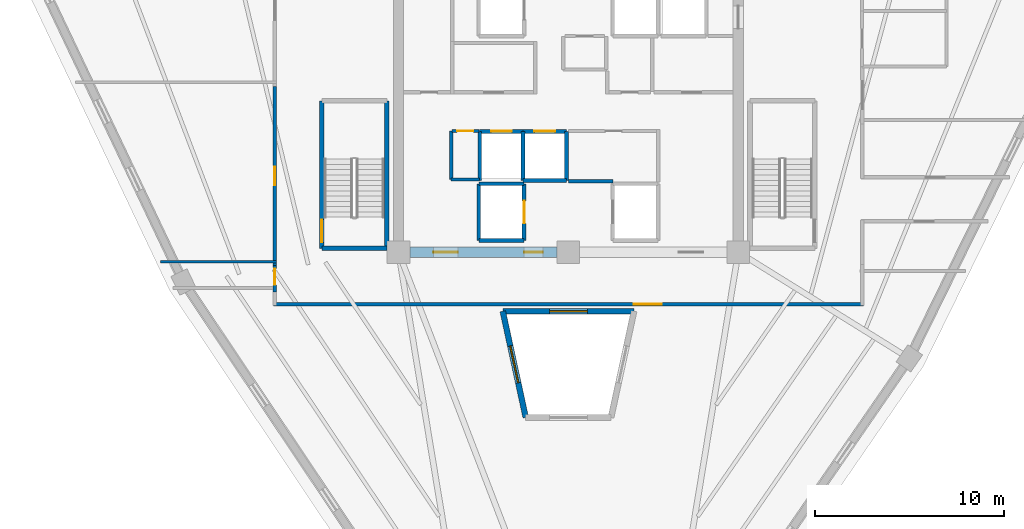
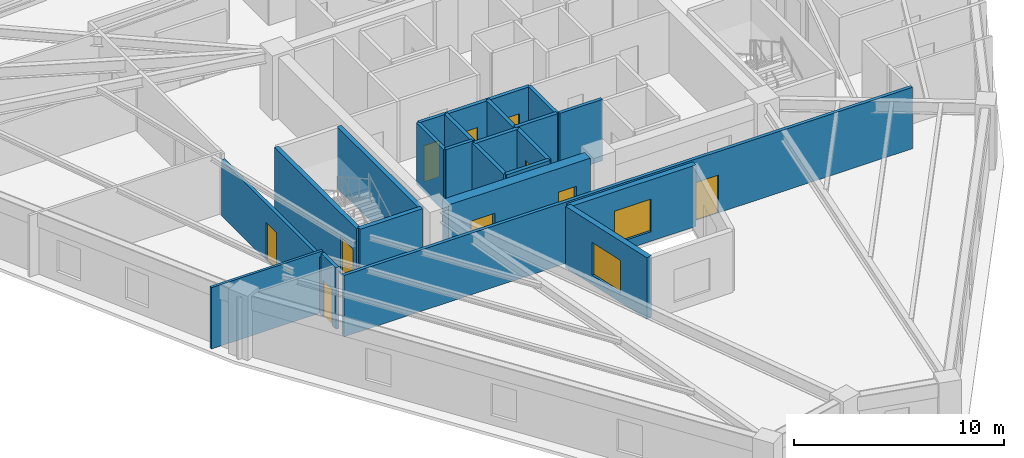
# One storey, part 3 of 8: 24 walls, 10 doors, 2 windows, 12 openings.
"""IFC4 building model written with IfcOpenShell, lengths in metres."""

from ifc_helpers import new_model, si_unit, direction, frame, frame_2d, origin, place, context, subcontext, project, spatial, rectangle, extrude, source, transform, mapped, material, layer, layer_set, type_object, element, fill, save


model = new_model("IFC4")

# Units and contexts
model_context = context("Model", 3, precision=1e-05, world=origin(), true_north=direction((0.0, 1.0)))
body_context = subcontext(model_context, "Body", "Model", "MODEL_VIEW")
ifc_project = project(units=[si_unit("LENGTHUNIT", "METRE"), si_unit("AREAUNIT", "SQUARE_METRE"), si_unit("VOLUMEUNIT", "CUBIC_METRE"), si_unit("PLANEANGLEUNIT", "RADIAN"), si_unit("MASSUNIT", "GRAM", prefix="KILO")], contexts=[model_context])

# Site, building, storey
site_placement = place(None, origin())
site = spatial("IfcSite", under=ifc_project, at=site_placement, CompositionType="ELEMENT")
building_placement = place(site_placement, origin())
building = spatial("IfcBuilding", under=site, at=building_placement, Name="Liaohun Quay Tower", CompositionType="ELEMENT")
storey_placement = place(building_placement, frame((0.0, 0.0, 301.5)))
storey = spatial("IfcBuildingStorey", under=building, at=storey_placement, Name="L78", CompositionType="ELEMENT", Elevation=301.5)

# Wall, opening, window
ifc_material_1 = material(Name="Concrete C50", Category="concrete")
ifc_layer_1 = layer(ifc_material_1, 0.300048828125, Name="Concrete C50", Category="concrete")
ifc_layer_set_1 = layer_set([ifc_layer_1], Name="Concrete C50")
wall_type_1 = type_object("IfcWallType", Name="WAL-ATR-300", PredefinedType="SOLIDWALL", material=ifc_layer_set_1)
wall_1_placement = place(storey_placement, frame((57.739013671875, 37.739990234375, 0.0), z_axis=(0.0, 0.0, 1.0), x_axis=(-0.211447694839, 0.977389314627, 0.0)))
wall_1 = element("IfcWall", 1, at=wall_1_placement, inside=storey, type_object=wall_type_1, Name="L78 Atrium Fire Compartment Wall 1", PredefinedType="SOLIDWALL", context=body_context, shape_type="SweptSolid", body=[
    extrude(rectangle(XDim=5.76025390625, YDim=0.300048828125, at=frame_2d((2.880126953125, 0.0))), origin(), (0.0, 0.0, 1.0), 3.570068359375),
])
shared_shape_1 = source(origin(), body_context, "Body", "SweptSolid", [
    extrude(rectangle(XDim=2.0, YDim=1.89990234375, at=frame_2d((1.0, 0.949951171875))), frame((0.0, 0.159912109375, 0.0), z_axis=(0.0, -1.0, 0.0), x_axis=(1.0, 0.0, 0.0)), (0.0, 0.0, 1.0), 0.320068359375),
])
opening_1_placement = place(wall_1_placement, frame((1.8798828125, 0.0, 0.550048828125)))
opening_1 = element("IfcOpeningElement", 2, at=opening_1_placement, cuts=wall_1, Name="Opening W07", PredefinedType="OPENING", context=body_context, shape_type="MappedRepresentation", body=[
    mapped(shared_shape_1, transform((0.0, 0.0, 0.0), x_axis=(1.0, 0.0, 0.0), y_axis=(0.0, 1.0, 0.0), z_axis=(0.0, 0.0, 1.0), scale=1.0)),
])
ifc_material_2 = material(Name="Class A 180-min fire-resistant insulated glazing", Category="glass")
window_type = type_object("IfcWindowType", Name="WIN-ATR-FIR", PartitioningType="DOUBLE_PANEL_VERTICAL", PredefinedType="WINDOW", material=ifc_material_2)
shared_shape_2 = source(origin(), body_context, "Body", "SweptSolid", [
    extrude(rectangle(XDim=2.0, YDim=1.89990234375, at=frame_2d((1.0, 0.949951171875))), frame((0.0, 0.030029296875, 0.0), z_axis=(0.0, -1.0, 0.0), x_axis=(1.0, 0.0, 0.0)), (0.0, 0.0, 1.0), 0.06005859375),
])
window_1_placement = place(opening_1_placement, origin())
window_1 = element("IfcWindow", 3, at=window_1_placement, inside=storey, type_object=window_type, Name="L78 Atrium Fire-Resistant Glazing W07-1", OverallHeight=1.89990234375, OverallWidth=2.0, PartitioningType="DOUBLE_PANEL_VERTICAL", PredefinedType="WINDOW", context=body_context, shape_type="MappedRepresentation", body=[
    mapped(shared_shape_2, transform((0.0, 0.0, 0.0), x_axis=(1.0, 0.0, 0.0), y_axis=(0.0, 1.0, 0.0), z_axis=(0.0, 0.0, 1.0), scale=1.0)),
])
fill(opening_1, window_1)

wall_2_placement = place(storey_placement, frame((56.52099609375, 43.3701171875, 0.0), z_axis=(0.0, 0.0, 1.0), x_axis=(1.0, 0.0, 0.0)))
wall_2 = element("IfcWall", 4, at=wall_2_placement, inside=storey, type_object=wall_type_1, Name="L78 Atrium Fire Compartment Wall 2", PredefinedType="SOLIDWALL", context=body_context, shape_type="SweptSolid", body=[
    extrude(rectangle(XDim=6.9580078125, YDim=0.300048828125, at=frame_2d((3.47900390625, 0.0))), origin(), (0.0, 0.0, 1.0), 3.570068359375),
])
opening_2_placement = place(wall_2_placement, frame((2.47900390625, 0.0, 0.550048828125)))
opening_2 = element("IfcOpeningElement", 5, at=opening_2_placement, cuts=wall_2, Name="Opening W07", PredefinedType="OPENING", context=body_context, shape_type="MappedRepresentation", body=[
    mapped(shared_shape_1, transform((0.0, 0.0, 0.0), x_axis=(1.0, 0.0, 0.0), y_axis=(0.0, 1.0, 0.0), z_axis=(0.0, 0.0, 1.0), scale=1.0)),
])
window_2_placement = place(opening_2_placement, origin())
window_2 = element("IfcWindow", 6, at=window_2_placement, inside=storey, type_object=window_type, Name="L78 Atrium Fire-Resistant Glazing W07-2", OverallHeight=1.89990234375, OverallWidth=2.0, PartitioningType="DOUBLE_PANEL_VERTICAL", PredefinedType="WINDOW", context=body_context, shape_type="MappedRepresentation", body=[
    mapped(shared_shape_2, transform((0.0, 0.0, 0.0), x_axis=(1.0, 0.0, 0.0), y_axis=(0.0, 1.0, 0.0), z_axis=(0.0, 0.0, 1.0), scale=1.0)),
])
fill(opening_2, window_2)

# Wall, openings, doors
ifc_layer_2 = layer(ifc_material_1, 0.550048828125, Name="Concrete C50", Category="concrete")
ifc_layer_set_2 = layer_set([ifc_layer_2], Name="Concrete C50")
wall_type_2 = type_object("IfcWallType", Name="WAL-COR-Z4", PredefinedType="SHEAR", material=ifc_layer_set_2)
wall_3_placement = place(storey_placement, frame((59.39990234375, 46.5, 0.0), z_axis=(0.0, 0.0, 1.0), x_axis=(-1.0, 0.0, 0.0)))
wall_3 = element("IfcWall", 7, at=wall_3_placement, inside=storey, type_object=wall_type_2, Name="L78 Central Core Shear Wall S-W", PredefinedType="SHEAR", context=body_context, shape_type="SweptSolid", body=[
    extrude(rectangle(XDim=7.7998046875, YDim=0.550048828125, at=frame_2d((3.89990234375, 0.0))), origin(), (0.0, 0.0, 1.0), 3.570068359375),
])
shared_shape_3 = source(origin(), body_context, "Body", "SweptSolid", [
    extrude(rectangle(XDim=1.300048828125, YDim=2.199951171875, at=frame_2d((0.64990234375, 1.10009765625))), frame((0.0, 0.284912109375, 0.0), z_axis=(0.0, -1.0, 0.0), x_axis=(1.0, 0.0, 0.0)), (0.0, 0.0, 1.0), 0.570068359375),
])
opening_3_placement = place(wall_3_placement, frame((5.25, 0.0, 0.0)))
opening_3 = element("IfcOpeningElement", 8, at=opening_3_placement, cuts=wall_3, Name="Opening FD1", PredefinedType="OPENING", context=body_context, shape_type="MappedRepresentation", body=[
    mapped(shared_shape_3, transform((0.0, 0.0, 0.0), x_axis=(1.0, 0.0, 0.0), y_axis=(0.0, 1.0, 0.0), z_axis=(0.0, 0.0, 1.0), scale=1.0)),
])
shared_shape_4 = source(origin(), body_context, "Body", "SweptSolid", [
    extrude(rectangle(XDim=1.0, YDim=2.199951171875, at=frame_2d((0.5, 1.10009765625))), frame((0.0, 0.284912109375, 0.0), z_axis=(0.0, -1.0, 0.0), x_axis=(1.0, 0.0, 0.0)), (0.0, 0.0, 1.0), 0.570068359375),
])
opening_4_placement = place(wall_3_placement, frame((0.75, 0.0, 0.0)))
opening_4 = element("IfcOpeningElement", 9, at=opening_4_placement, cuts=wall_3, Name="Opening FD2", PredefinedType="OPENING", context=body_context, shape_type="MappedRepresentation", body=[
    mapped(shared_shape_4, transform((0.0, 0.0, 0.0), x_axis=(1.0, 0.0, 0.0), y_axis=(0.0, 1.0, 0.0), z_axis=(0.0, 0.0, 1.0), scale=1.0)),
])
ifc_material_3 = material(Name="Galvanised steel smokeproof fire door", Category="steel")
door_type_1 = type_object("IfcDoorType", Name="DOR-FFL-1300", OperationType="NOTDEFINED", PredefinedType="DOOR", material=ifc_material_3)
shared_shape_5 = source(origin(), body_context, "Body", "SweptSolid", [
    extrude(rectangle(XDim=1.300048828125, YDim=2.199951171875, at=frame_2d((0.64990234375, 1.10009765625))), frame((0.0, 0.02490234375, 0.0), z_axis=(0.0, -1.0, 0.0), x_axis=(1.0, 0.0, 0.0)), (0.0, 0.0, 1.0), 0.050048828125),
])
door_1_placement = place(opening_3_placement, origin())
door_1 = element("IfcDoor", 10, at=door_1_placement, inside=storey, type_object=door_type_1, Name="L78 West Core Lift Lobby Smokeproof Door", OperationType="SINGLE_SWING_RIGHT", OverallHeight=2.199951171875, OverallWidth=1.300048828125, PredefinedType="DOOR", context=body_context, shape_type="MappedRepresentation", body=[
    mapped(shared_shape_5, transform((0.0, 0.0, 0.0), x_axis=(1.0, 0.0, 0.0), y_axis=(0.0, 1.0, 0.0), z_axis=(0.0, 0.0, 1.0), scale=1.0)),
])
fill(opening_3, door_1)
ifc_material_4 = material(Name="Galvanised steel smokeproof lobby fire door", Category="steel")
door_type_2 = type_object("IfcDoorType", Name="DOR-FFL-1000", OperationType="NOTDEFINED", PredefinedType="DOOR", material=ifc_material_4)
shared_shape_6 = source(origin(), body_context, "Body", "SweptSolid", [
    extrude(rectangle(XDim=1.0, YDim=2.199951171875, at=frame_2d((0.5, 1.10009765625))), frame((0.0, 0.02490234375, 0.0), z_axis=(0.0, -1.0, 0.0), x_axis=(1.0, 0.0, 0.0)), (0.0, 0.0, 1.0), 0.050048828125),
])
door_2_placement = place(opening_4_placement, origin())
door_2 = element("IfcDoor", 11, at=door_2_placement, inside=storey, type_object=door_type_2, Name="L78 South Firefighting Lobby Smokeproof Door", OperationType="SINGLE_SWING_LEFT", OverallHeight=2.199951171875, OverallWidth=1.0, PredefinedType="DOOR", context=body_context, shape_type="MappedRepresentation", body=[
    mapped(shared_shape_6, transform((0.0, 0.0, 0.0), x_axis=(1.0, 0.0, 0.0), y_axis=(0.0, 1.0, 0.0), z_axis=(0.0, 0.0, 1.0), scale=1.0)),
])
fill(opening_4, door_2)

# Wall, opening, door
ifc_material_5 = material(Name="Autoclaved aerated concrete blockwork", Category="masonry")
ifc_layer_3 = layer(ifc_material_5, 0.179931640625, Name="Autoclaved aerated concrete blockwork", Category="masonry")
ifc_layer_set_3 = layer_set([ifc_layer_3], Name="Autoclaved aerated concrete blockwork")
wall_type_3 = type_object("IfcWallType", Name="WAL-PRT-COR", PredefinedType="PARTITIONING", material=ifc_layer_set_3)
wall_4_placement = place(storey_placement, frame((53.820068359375, 52.919921875, 0.0), z_axis=(0.0, 0.0, 1.0), x_axis=(1.0, 0.0, 0.0)))
wall_4 = element("IfcWall", 12, at=wall_4_placement, inside=storey, type_object=wall_type_3, Name="L78 Interior Partition Wall 007", PredefinedType="PARTITIONING", context=body_context, shape_type="SweptSolid", body=[
    extrude(rectangle(XDim=1.429931640625, YDim=0.179931640625, at=frame_2d((0.71484375, 0.0))), origin(), (0.0, 0.0, 1.0), 3.570068359375),
])
shared_shape_7 = source(origin(), body_context, "Body", "SweptSolid", [
    extrude(rectangle(XDim=0.85009765625, YDim=2.10009765625, at=frame_2d((0.425048828125, 1.050048828125))), frame((0.0, 0.099853515625, 0.0), z_axis=(0.0, -1.0, 0.0), x_axis=(1.0, 0.0, 0.0)), (0.0, 0.0, 1.0), 0.199951171875),
])
opening_5_placement = place(wall_4_placement, frame((0.2900390625, 0.0, 0.0)))
opening_5 = element("IfcOpeningElement", 13, at=opening_5_placement, cuts=wall_4, Name="Opening AD1", PredefinedType="OPENING", context=body_context, shape_type="MappedRepresentation", body=[
    mapped(shared_shape_7, transform((0.0, 0.0, 0.0), x_axis=(1.0, 0.0, 0.0), y_axis=(0.0, 1.0, 0.0), z_axis=(0.0, 0.0, 1.0), scale=1.0)),
])
ifc_material_6 = material(Name="Steel riser inspection fire door", Category="steel")
door_type_3 = type_object("IfcDoorType", Name="DOR-SHF-850", OperationType="NOTDEFINED", PredefinedType="DOOR", material=ifc_material_6)
shared_shape_8 = source(origin(), body_context, "Body", "SweptSolid", [
    extrude(rectangle(XDim=0.85009765625, YDim=2.10009765625, at=frame_2d((0.425048828125, 1.050048828125))), frame((0.0, 0.02490234375, 0.0), z_axis=(0.0, -1.0, 0.0), x_axis=(1.0, 0.0, 0.0)), (0.0, 0.0, 1.0), 0.050048828125),
])
door_3_placement = place(opening_5_placement, origin())
door_3 = element("IfcDoor", 14, at=door_3_placement, inside=storey, type_object=door_type_3, Name="L78 Mechanical Smoke Duct Room Door", OperationType="SINGLE_SWING_LEFT", OverallHeight=2.10009765625, OverallWidth=0.85009765625, PredefinedType="DOOR", context=body_context, shape_type="MappedRepresentation", body=[
    mapped(shared_shape_8, transform((0.0, 0.0, 0.0), x_axis=(1.0, 0.0, 0.0), y_axis=(0.0, 1.0, 0.0), z_axis=(0.0, 0.0, 1.0), scale=1.0)),
])
fill(opening_5, door_3)

wall_5_placement = place(storey_placement, frame((44.43994140625, 45.784912109375, 0.0), z_axis=(0.0, 0.0, 1.0), x_axis=(0.0, 1.0, 0.0)))
wall_5 = element("IfcWall", 15, at=wall_5_placement, inside=storey, type_object=wall_type_3, Name="L78 Interior Partition Wall 022", PredefinedType="PARTITIONING", context=body_context, shape_type="SweptSolid", body=[
    extrude(rectangle(XDim=9.5, YDim=0.179931640625, at=frame_2d((4.75, 0.0))), origin(), (0.0, 0.0, 1.0), 3.260986328125),
])
shared_shape_9 = source(origin(), body_context, "Body", "SweptSolid", [
    extrude(rectangle(XDim=1.0, YDim=2.199951171875, at=frame_2d((0.5, 1.10009765625))), frame((0.0, 0.099853515625, 0.0), z_axis=(0.0, -1.0, 0.0), x_axis=(1.0, 0.0, 0.0)), (0.0, 0.0, 1.0), 0.199951171875),
])
opening_6_placement = place(wall_5_placement, frame((4.25, 0.0, 0.0)))
opening_6 = element("IfcOpeningElement", 16, at=opening_6_placement, cuts=wall_5, Name="Opening OD1", PredefinedType="OPENING", context=body_context, shape_type="MappedRepresentation", body=[
    mapped(shared_shape_9, transform((0.0, 0.0, 0.0), x_axis=(1.0, 0.0, 0.0), y_axis=(0.0, 1.0, 0.0), z_axis=(0.0, 0.0, 1.0), scale=1.0)),
])
ifc_material_7 = material(Name="Solid-core oak veneer timber leaf in steel frame", Category="steel")
door_type_4 = type_object("IfcDoorType", Name="DOR-OFF-1000", OperationType="NOTDEFINED", PredefinedType="DOOR", material=ifc_material_7)
door_4_placement = place(opening_6_placement, origin())
door_4 = element("IfcDoor", 17, at=door_4_placement, inside=storey, type_object=door_type_4, Name="L78 Client Collaboration Lounge 08 Door", OperationType="SINGLE_SWING_RIGHT", OverallHeight=2.199951171875, OverallWidth=1.0, PredefinedType="DOOR", context=body_context, shape_type="MappedRepresentation", body=[
    mapped(shared_shape_6, transform((0.0, 0.0, 0.0), x_axis=(1.0, 0.0, 0.0), y_axis=(0.0, 1.0, 0.0), z_axis=(0.0, 0.0, 1.0), scale=1.0)),
])
fill(opening_6, door_4)

wall_6_placement = place(storey_placement, frame((44.43994140625, 44.385009765625, 0.0), z_axis=(0.0, 0.0, 1.0), x_axis=(0.0, 1.0, 0.0)))
wall_6 = element("IfcWall", 18, at=wall_6_placement, inside=storey, type_object=wall_type_3, Name="L78 Interior Partition Wall 023", PredefinedType="PARTITIONING", context=body_context, shape_type="SweptSolid", body=[
    extrude(rectangle(XDim=1.39990234375, YDim=0.179931640625, at=frame_2d((0.699951171875, 0.0))), origin(), (0.0, 0.0, 1.0), 3.570068359375),
])
opening_7_placement = place(wall_6_placement, frame((0.386962890625, 0.0, 0.0)))
opening_7 = element("IfcOpeningElement", 19, at=opening_7_placement, cuts=wall_6, Name="Opening AD1", PredefinedType="OPENING", context=body_context, shape_type="MappedRepresentation", body=[
    mapped(shared_shape_7, transform((0.0, 0.0, 0.0), x_axis=(1.0, 0.0, 0.0), y_axis=(0.0, 1.0, 0.0), z_axis=(0.0, 0.0, 1.0), scale=1.0)),
])
door_5_placement = place(opening_7_placement, origin())
door_5 = element("IfcDoor", 20, at=door_5_placement, inside=storey, type_object=door_type_3, Name="L78 Records Archive Store 09 Door", OperationType="SINGLE_SWING_LEFT", OverallHeight=2.10009765625, OverallWidth=0.85009765625, PredefinedType="DOOR", context=body_context, shape_type="MappedRepresentation", body=[
    mapped(shared_shape_8, transform((0.0, 0.0, 0.0), x_axis=(1.0, 0.0, 0.0), y_axis=(0.0, 1.0, 0.0), z_axis=(0.0, 0.0, 1.0), scale=1.0)),
])
fill(opening_7, door_5)

wall_7_placement = place(storey_placement, frame((75.6298828125, 43.739990234375, 0.0), z_axis=(0.0, 0.0, 1.0), x_axis=(-1.0, 0.0, 0.0)))
wall_7 = element("IfcWall", 21, at=wall_7_placement, inside=storey, type_object=wall_type_3, Name="L78 Interior Partition Wall 024", PredefinedType="PARTITIONING", context=body_context, shape_type="SweptSolid", body=[
    extrude(rectangle(XDim=31.259765625, YDim=0.179931640625, at=frame_2d((15.6298828125, 0.0))), origin(), (0.0, 0.0, 1.0), 3.570068359375),
])
shared_shape_10 = source(origin(), body_context, "Body", "SweptSolid", [
    extrude(rectangle(XDim=1.5, YDim=2.199951171875, at=frame_2d((0.75, 1.10009765625))), frame((0.0, 0.099853515625, 0.0), z_axis=(0.0, -1.0, 0.0), x_axis=(1.0, 0.0, 0.0)), (0.0, 0.0, 1.0), 0.199951171875),
])
opening_8_placement = place(wall_7_placement, frame((10.679931640625, 0.0, 0.0)))
opening_8 = element("IfcOpeningElement", 22, at=opening_8_placement, cuts=wall_7, Name="Opening OD2", PredefinedType="OPENING", context=body_context, shape_type="MappedRepresentation", body=[
    mapped(shared_shape_10, transform((0.0, 0.0, 0.0), x_axis=(1.0, 0.0, 0.0), y_axis=(0.0, 1.0, 0.0), z_axis=(0.0, 0.0, 1.0), scale=1.0)),
])
ifc_material_8 = material(Name="Acoustic oak veneer double door")
door_type_5 = type_object("IfcDoorType", Name="DOR-OFF-1500", OperationType="DOUBLE_DOOR_SINGLE_SWING", PredefinedType="DOOR", material=ifc_material_8)
shared_shape_11 = source(origin(), body_context, "Body", "SweptSolid", [
    extrude(rectangle(XDim=1.5, YDim=2.199951171875, at=frame_2d((0.75, 1.10009765625))), frame((0.0, 0.02490234375, 0.0), z_axis=(0.0, -1.0, 0.0), x_axis=(1.0, 0.0, 0.0)), (0.0, 0.0, 1.0), 0.050048828125),
])
door_6_placement = place(opening_8_placement, origin())
door_6 = element("IfcDoor", 23, at=door_6_placement, inside=storey, type_object=door_type_5, Name="L78 Open-Plan Office Workplace 10 Door", OperationType="DOUBLE_DOOR_SINGLE_SWING", OverallHeight=2.199951171875, OverallWidth=1.5, PredefinedType="DOOR", context=body_context, shape_type="MappedRepresentation", body=[
    mapped(shared_shape_11, transform((0.0, 0.0, 0.0), x_axis=(1.0, 0.0, 0.0), y_axis=(0.0, 1.0, 0.0), z_axis=(0.0, 0.0, 1.0), scale=1.0)),
])
fill(opening_8, door_6)

# Walls
wall_8_placement = place(storey_placement, frame((53.7900390625, 50.35009765625, 0.0), z_axis=(0.0, 0.0, 1.0), x_axis=(0.0, 1.0, 0.0)))
element("IfcWall", 24, at=wall_8_placement, inside=storey, type_object=wall_type_3, Name="L78 Interior Partition Wall 031", PredefinedType="PARTITIONING", context=body_context, shape_type="SweptSolid", body=[
    extrude(rectangle(XDim=2.56982421875, YDim=0.179931640625, at=frame_2d((1.284912109375, 0.0))), origin(), (0.0, 0.0, 1.0), 3.570068359375),
])
wall_9_placement = place(storey_placement, frame((53.7900390625, 50.35009765625, 0.0), z_axis=(0.0, 0.0, 1.0), x_axis=(1.0, 0.0, 0.0)))
element("IfcWall", 25, at=wall_9_placement, inside=storey, type_object=wall_type_3, Name="L78 Interior Partition Wall 032", PredefinedType="PARTITIONING", context=body_context, shape_type="SweptSolid", body=[
    extrude(rectangle(XDim=1.489990234375, YDim=0.179931640625, at=frame_2d((0.7451171875, 0.0))), origin(), (0.0, 0.0, 1.0), 3.570068359375),
])
wall_10_placement = place(storey_placement, frame((60.0, 50.25, 0.0), z_axis=(0.0, 0.0, 1.0), x_axis=(1.0, 0.0, 0.0)))
element("IfcWall", 26, at=wall_10_placement, inside=storey, type_object=wall_type_3, Name="L78 Interior Partition Wall 060", PredefinedType="PARTITIONING", context=body_context, shape_type="SweptSolid", body=[
    extrude(rectangle(XDim=2.35009765625, YDim=0.179931640625, at=frame_2d((1.175048828125, 0.0))), origin(), (0.0, 0.0, 1.0), 3.570068359375),
])
ifc_material_9 = material(Name="Gypsum board on twin steel studs", Category="steel")
ifc_layer_4 = layer(ifc_material_9, 0.139892578125, Name="Gypsum board on twin steel studs", Category="steel")
ifc_layer_set_4 = layer_set([ifc_layer_4], Name="Gypsum board on twin steel studs")
wall_type_4 = type_object("IfcWallType", Name="WAL-PRT-OFF", PredefinedType="PARTITIONING", material=ifc_layer_set_4)
wall_11_placement = place(storey_placement, frame((44.5400390625, 46.0, 0.0), z_axis=(0.0, 0.0, 1.0), x_axis=(-1.0, 0.0, 0.0)))
element("IfcWall", 27, at=wall_11_placement, inside=storey, type_object=wall_type_4, Name="L78 Interior Partition Wall 050", PredefinedType="PARTITIONING", context=body_context, shape_type="SweptSolid", body=[
    extrude(rectangle(XDim=6.14794921875, YDim=0.139892578125, at=frame_2d((3.073974609375, 0.0))), origin(), (0.0, 0.0, 1.0), 3.570068359375),
])
ifc_layer_5 = layer(ifc_material_1, 0.239990234375, Name="Concrete C50", Category="concrete")
ifc_layer_set_5 = layer_set([ifc_layer_5], Name="Concrete C50")
wall_type_5 = type_object("IfcWallType", Name="WAL-SHF-200", PredefinedType="SOLIDWALL", material=ifc_layer_set_5)
wall_12_placement = place(storey_placement, frame((46.93994140625, 46.699951171875, 0.0), z_axis=(0.0, 0.0, 1.0), x_axis=(1.0, 0.0, 0.0)))
element("IfcWall", 28, at=wall_12_placement, inside=storey, type_object=wall_type_5, Name="L78 Stairwell ST-1 Structural Core Wall S", PredefinedType="SOLIDWALL", context=body_context, shape_type="SweptSolid", body=[
    extrude(rectangle(XDim=3.43994140625, YDim=0.239990234375, at=frame_2d((1.719970703125, 0.0))), origin(), (0.0, 0.0, 1.0), 3.570068359375),
])
wall_13_placement = place(storey_placement, frame((50.3798828125, 46.699951171875, 0.0), z_axis=(0.0, 0.0, 1.0), x_axis=(0.0, 1.0, 0.0)))
element("IfcWall", 29, at=wall_13_placement, inside=storey, type_object=wall_type_5, Name="L78 Stairwell ST-1 Structural Core Wall E", PredefinedType="SOLIDWALL", context=body_context, shape_type="SweptSolid", body=[
    extrude(rectangle(XDim=7.820068359375, YDim=0.239990234375, at=frame_2d((3.91015625, 0.0))), origin(), (0.0, 0.0, 1.0), 3.570068359375),
])

# Wall, opening, door
wall_14_placement = place(storey_placement, frame((46.93994140625, 54.52001953125, 0.0), z_axis=(0.0, 0.0, 1.0), x_axis=(0.0, -1.0, 0.0)))
wall_14 = element("IfcWall", 30, at=wall_14_placement, inside=storey, type_object=wall_type_5, Name="L78 Stairwell ST-1 Structural Core Wall W", PredefinedType="SOLIDWALL", context=body_context, shape_type="SweptSolid", body=[
    extrude(rectangle(XDim=7.820068359375, YDim=0.239990234375, at=frame_2d((3.91015625, 0.0))), origin(), (0.0, 0.0, 1.0), 3.570068359375),
])
shared_shape_12 = source(origin(), body_context, "Body", "SweptSolid", [
    extrude(rectangle(XDim=1.199951171875, YDim=2.199951171875, at=frame_2d((0.60009765625, 1.10009765625))), frame((0.0, 0.1298828125, 0.0), z_axis=(0.0, -1.0, 0.0), x_axis=(1.0, 0.0, 0.0)), (0.0, 0.0, 1.0), 0.260009765625),
])
opening_9_placement = place(wall_14_placement, frame((6.300048828125, 0.0, 0.0)))
opening_9 = element("IfcOpeningElement", 31, at=opening_9_placement, cuts=wall_14, Name="Opening SD1", PredefinedType="OPENING", context=body_context, shape_type="MappedRepresentation", body=[
    mapped(shared_shape_12, transform((0.0, 0.0, 0.0), x_axis=(1.0, 0.0, 0.0), y_axis=(0.0, 1.0, 0.0), z_axis=(0.0, 0.0, 1.0), scale=1.0)),
])
ifc_material_10 = material(Name="Galvanised steel fire door", Category="steel")
door_type_6 = type_object("IfcDoorType", Name="DOR-STR-1200", OperationType="NOTDEFINED", PredefinedType="DOOR", material=ifc_material_10)
shared_shape_13 = source(origin(), body_context, "Body", "SweptSolid", [
    extrude(rectangle(XDim=1.199951171875, YDim=2.199951171875, at=frame_2d((0.60009765625, 1.10009765625))), frame((0.0, 0.02490234375, 0.0), z_axis=(0.0, -1.0, 0.0), x_axis=(1.0, 0.0, 0.0)), (0.0, 0.0, 1.0), 0.050048828125),
])
door_7_placement = place(opening_9_placement, origin())
door_7 = element("IfcDoor", 32, at=door_7_placement, inside=storey, type_object=door_type_6, Name="L78 Protected Stair ST-1 Fire Door", OperationType="SINGLE_SWING_LEFT", OverallHeight=2.199951171875, OverallWidth=1.199951171875, PredefinedType="DOOR", context=body_context, shape_type="MappedRepresentation", body=[
    mapped(shared_shape_13, transform((0.0, 0.0, 0.0), x_axis=(1.0, 0.0, 0.0), y_axis=(0.0, 1.0, 0.0), z_axis=(0.0, 0.0, 1.0), scale=1.0)),
])
fill(opening_9, door_7)

# Wall
wall_15_placement = place(storey_placement, frame((55.25, 47.1201171875, 0.0), z_axis=(0.0, 0.0, 1.0), x_axis=(1.0, 0.0, 0.0)))
element("IfcWall", 33, at=wall_15_placement, inside=storey, type_object=wall_type_5, Name="L78 Lift FF-01 Hoistway Wall S", PredefinedType="SOLIDWALL", context=body_context, shape_type="SweptSolid", body=[
    extrude(rectangle(XDim=2.39990234375, YDim=0.199951171875, at=frame_2d((1.199951171875, 0.0))), origin(), (0.0, 0.0, 1.0), 3.570068359375),
])

# Wall, opening, door
wall_16_placement = place(storey_placement, frame((57.64990234375, 47.1201171875, 0.0), z_axis=(0.0, 0.0, 1.0), x_axis=(0.0, 1.0, 0.0)))
wall_16 = element("IfcWall", 34, at=wall_16_placement, inside=storey, type_object=wall_type_5, Name="L78 Lift FF-01 Hoistway Wall E", PredefinedType="SOLIDWALL", context=body_context, shape_type="SweptSolid", body=[
    extrude(rectangle(XDim=3.0, YDim=0.199951171875, at=frame_2d((1.5, 0.0))), origin(), (0.0, 0.0, 1.0), 3.570068359375),
])
shared_shape_14 = source(origin(), body_context, "Body", "SweptSolid", [
    extrude(rectangle(XDim=1.199951171875, YDim=2.300048828125, at=frame_2d((0.60009765625, 1.14990234375))), frame((0.0, 0.10986328125, 0.0), z_axis=(0.0, -1.0, 0.0), x_axis=(1.0, 0.0, 0.0)), (0.0, 0.0, 1.0), 0.219970703125),
])
opening_10_placement = place(wall_16_placement, frame((0.89990234375, 0.0, 0.0)))
opening_10 = element("IfcOpeningElement", 35, at=opening_10_placement, cuts=wall_16, Name="Opening LD2", PredefinedType="OPENING", context=body_context, shape_type="MappedRepresentation", body=[
    mapped(shared_shape_14, transform((0.0, 0.0, 0.0), x_axis=(1.0, 0.0, 0.0), y_axis=(0.0, 1.0, 0.0), z_axis=(0.0, 0.0, 1.0), scale=1.0)),
])
ifc_material_11 = material(Name="Brushed stainless steel stretcher landing door", Category="steel")
door_type_7 = type_object("IfcDoorType", Name="DOR-LFT-1200", OperationType="SLIDING_TO_LEFT", PredefinedType="DOOR", material=ifc_material_11)
shared_shape_15 = source(origin(), body_context, "Body", "SweptSolid", [
    extrude(rectangle(XDim=1.199951171875, YDim=2.300048828125, at=frame_2d((0.60009765625, 1.14990234375))), frame((0.0, 0.02490234375, 0.0), z_axis=(0.0, -1.0, 0.0), x_axis=(1.0, 0.0, 0.0)), (0.0, 0.0, 1.0), 0.050048828125),
])
door_8_placement = place(opening_10_placement, origin())
door_8 = element("IfcDoor", 36, at=door_8_placement, inside=storey, type_object=door_type_7, Name="L78 Lift FF-01 Sliding Landing Door", OperationType="SLIDING_TO_LEFT", OverallHeight=2.300048828125, OverallWidth=1.199951171875, PredefinedType="DOOR", context=body_context, shape_type="MappedRepresentation", body=[
    mapped(shared_shape_15, transform((0.0, 0.0, 0.0), x_axis=(1.0, 0.0, 0.0), y_axis=(0.0, 1.0, 0.0), z_axis=(0.0, 0.0, 1.0), scale=1.0)),
])
fill(opening_10, door_8)

# Walls
wall_17_placement = place(storey_placement, frame((57.64990234375, 50.1201171875, 0.0), z_axis=(0.0, 0.0, 1.0), x_axis=(-1.0, 0.0, 0.0)))
element("IfcWall", 37, at=wall_17_placement, inside=storey, type_object=wall_type_5, Name="L78 Lift FF-01 Hoistway Wall N", PredefinedType="SOLIDWALL", context=body_context, shape_type="SweptSolid", body=[
    extrude(rectangle(XDim=2.39990234375, YDim=0.199951171875, at=frame_2d((1.199951171875, 0.0))), origin(), (0.0, 0.0, 1.0), 3.570068359375),
])
wall_18_placement = place(storey_placement, frame((55.25, 50.1201171875, 0.0), z_axis=(0.0, 0.0, 1.0), x_axis=(0.0, -1.0, 0.0)))
element("IfcWall", 38, at=wall_18_placement, inside=storey, type_object=wall_type_5, Name="L78 Lift FF-01 Hoistway Wall W", PredefinedType="SOLIDWALL", context=body_context, shape_type="SweptSolid", body=[
    extrude(rectangle(XDim=3.0, YDim=0.199951171875, at=frame_2d((1.5, 0.0))), origin(), (0.0, 0.0, 1.0), 3.570068359375),
])
wall_19_placement = place(storey_placement, frame((57.60009765625, 50.300048828125, 0.0), z_axis=(0.0, 0.0, 1.0), x_axis=(0.0, 1.0, 0.0)))
element("IfcWall", 39, at=wall_19_placement, inside=storey, type_object=wall_type_5, Name="L78 Lift PL-4A Hoistway Wall E", PredefinedType="SOLIDWALL", context=body_context, shape_type="SweptSolid", body=[
    extrude(rectangle(XDim=2.599853515625, YDim=0.199951171875, at=frame_2d((1.2998046875, 0.0))), origin(), (0.0, 0.0, 1.0), 3.570068359375),
])

# Wall, opening, door
wall_20_placement = place(storey_placement, frame((57.60009765625, 52.89990234375, 0.0), z_axis=(0.0, 0.0, 1.0), x_axis=(-1.0, 0.0, 0.0)))
wall_20 = element("IfcWall", 40, at=wall_20_placement, inside=storey, type_object=wall_type_5, Name="L78 Lift PL-4A Hoistway Wall N", PredefinedType="SOLIDWALL", context=body_context, shape_type="SweptSolid", body=[
    extrude(rectangle(XDim=2.300048828125, YDim=0.199951171875, at=frame_2d((1.14990234375, 0.0))), origin(), (0.0, 0.0, 1.0), 3.570068359375),
])
shared_shape_16 = source(origin(), body_context, "Body", "SweptSolid", [
    extrude(rectangle(XDim=1.10009765625, YDim=2.199951171875, at=frame_2d((0.550048828125, 1.10009765625))), frame((0.0, 0.10986328125, 0.0), z_axis=(0.0, -1.0, 0.0), x_axis=(1.0, 0.0, 0.0)), (0.0, 0.0, 1.0), 0.219970703125),
])
opening_11_placement = place(wall_20_placement, frame((0.60009765625, 0.0, 0.0)))
opening_11 = element("IfcOpeningElement", 41, at=opening_11_placement, cuts=wall_20, Name="Opening LD1", PredefinedType="OPENING", context=body_context, shape_type="MappedRepresentation", body=[
    mapped(shared_shape_16, transform((0.0, 0.0, 0.0), x_axis=(1.0, 0.0, 0.0), y_axis=(0.0, 1.0, 0.0), z_axis=(0.0, 0.0, 1.0), scale=1.0)),
])
ifc_material_12 = material(Name="Brushed stainless steel landing door", Category="steel")
door_type_8 = type_object("IfcDoorType", Name="DOR-LFT-1100", OperationType="SLIDING_TO_LEFT", PredefinedType="DOOR", material=ifc_material_12)
shared_shape_17 = source(origin(), body_context, "Body", "SweptSolid", [
    extrude(rectangle(XDim=1.10009765625, YDim=2.199951171875, at=frame_2d((0.550048828125, 1.10009765625))), frame((0.0, 0.02490234375, 0.0), z_axis=(0.0, -1.0, 0.0), x_axis=(1.0, 0.0, 0.0)), (0.0, 0.0, 1.0), 0.050048828125),
])
door_9_placement = place(opening_11_placement, origin())
door_9 = element("IfcDoor", 42, at=door_9_placement, inside=storey, type_object=door_type_8, Name="L78 Lift PL-4A Sliding Landing Door", OperationType="SLIDING_TO_LEFT", OverallHeight=2.199951171875, OverallWidth=1.10009765625, PredefinedType="DOOR", context=body_context, shape_type="MappedRepresentation", body=[
    mapped(shared_shape_17, transform((0.0, 0.0, 0.0), x_axis=(1.0, 0.0, 0.0), y_axis=(0.0, 1.0, 0.0), z_axis=(0.0, 0.0, 1.0), scale=1.0)),
])
fill(opening_11, door_9)

# Walls
wall_21_placement = place(storey_placement, frame((55.300048828125, 52.89990234375, 0.0), z_axis=(0.0, 0.0, 1.0), x_axis=(0.0, -1.0, 0.0)))
element("IfcWall", 43, at=wall_21_placement, inside=storey, type_object=wall_type_5, Name="L78 Lift PL-4A Hoistway Wall W", PredefinedType="SOLIDWALL", context=body_context, shape_type="SweptSolid", body=[
    extrude(rectangle(XDim=2.599853515625, YDim=0.199951171875, at=frame_2d((1.2998046875, 0.0))), origin(), (0.0, 0.0, 1.0), 3.570068359375),
])
wall_22_placement = place(storey_placement, frame((57.60009765625, 50.300048828125, 0.0), z_axis=(0.0, 0.0, 1.0), x_axis=(1.0, 0.0, 0.0)))
element("IfcWall", 44, at=wall_22_placement, inside=storey, type_object=wall_type_5, Name="L78 Lift PL-4B Hoistway Wall S", PredefinedType="SOLIDWALL", context=body_context, shape_type="SweptSolid", body=[
    extrude(rectangle(XDim=2.2998046875, YDim=0.199951171875, at=frame_2d((1.14990234375, 0.0))), origin(), (0.0, 0.0, 1.0), 3.570068359375),
])
wall_23_placement = place(storey_placement, frame((59.89990234375, 50.300048828125, 0.0), z_axis=(0.0, 0.0, 1.0), x_axis=(0.0, 1.0, 0.0)))
element("IfcWall", 45, at=wall_23_placement, inside=storey, type_object=wall_type_5, Name="L78 Lift PL-4B Hoistway Wall E", PredefinedType="SOLIDWALL", context=body_context, shape_type="SweptSolid", body=[
    extrude(rectangle(XDim=2.599853515625, YDim=0.199951171875, at=frame_2d((1.2998046875, 0.0))), origin(), (0.0, 0.0, 1.0), 3.570068359375),
])

# Wall, opening, door
wall_24_placement = place(storey_placement, frame((59.89990234375, 52.89990234375, 0.0), z_axis=(0.0, 0.0, 1.0), x_axis=(-1.0, 0.0, 0.0)))
wall_24 = element("IfcWall", 46, at=wall_24_placement, inside=storey, type_object=wall_type_5, Name="L78 Lift PL-4B Hoistway Wall N", PredefinedType="SOLIDWALL", context=body_context, shape_type="SweptSolid", body=[
    extrude(rectangle(XDim=2.2998046875, YDim=0.199951171875, at=frame_2d((1.14990234375, 0.0))), origin(), (0.0, 0.0, 1.0), 3.570068359375),
])
opening_12_placement = place(wall_24_placement, frame((0.60009765625, 0.0, 0.0)))
opening_12 = element("IfcOpeningElement", 47, at=opening_12_placement, cuts=wall_24, Name="Opening LD1", PredefinedType="OPENING", context=body_context, shape_type="MappedRepresentation", body=[
    mapped(shared_shape_16, transform((0.0, 0.0, 0.0), x_axis=(1.0, 0.0, 0.0), y_axis=(0.0, 1.0, 0.0), z_axis=(0.0, 0.0, 1.0), scale=1.0)),
])
door_10_placement = place(opening_12_placement, origin())
door_10 = element("IfcDoor", 48, at=door_10_placement, inside=storey, type_object=door_type_8, Name="L78 Lift PL-4B Sliding Landing Door", OperationType="SLIDING_TO_LEFT", OverallHeight=2.199951171875, OverallWidth=1.10009765625, PredefinedType="DOOR", context=body_context, shape_type="MappedRepresentation", body=[
    mapped(shared_shape_17, transform((0.0, 0.0, 0.0), x_axis=(1.0, 0.0, 0.0), y_axis=(0.0, 1.0, 0.0), z_axis=(0.0, 0.0, 1.0), scale=1.0)),
])
fill(opening_12, door_10)

save(model, "model.ifc")
